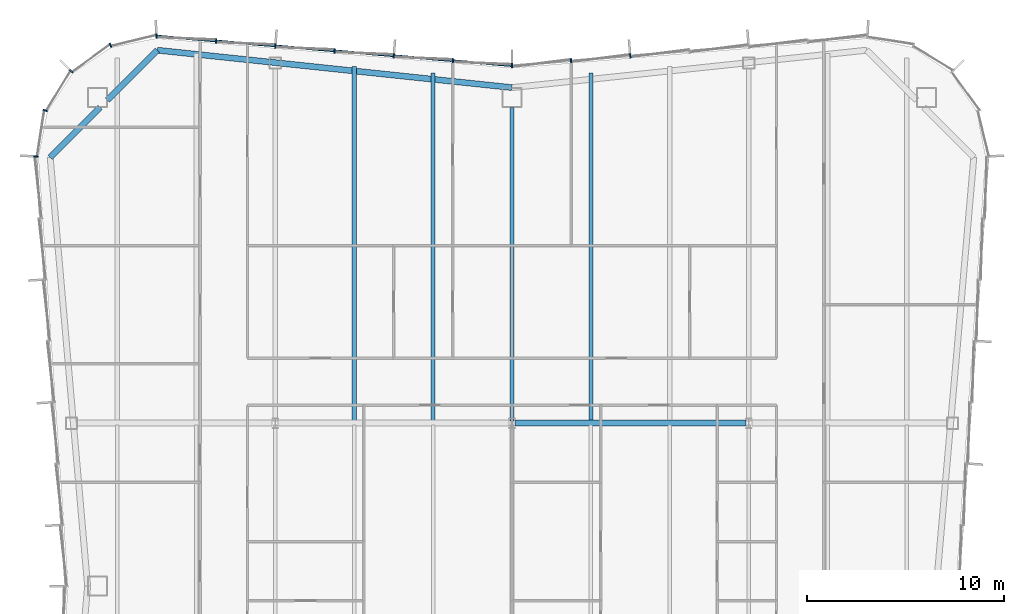
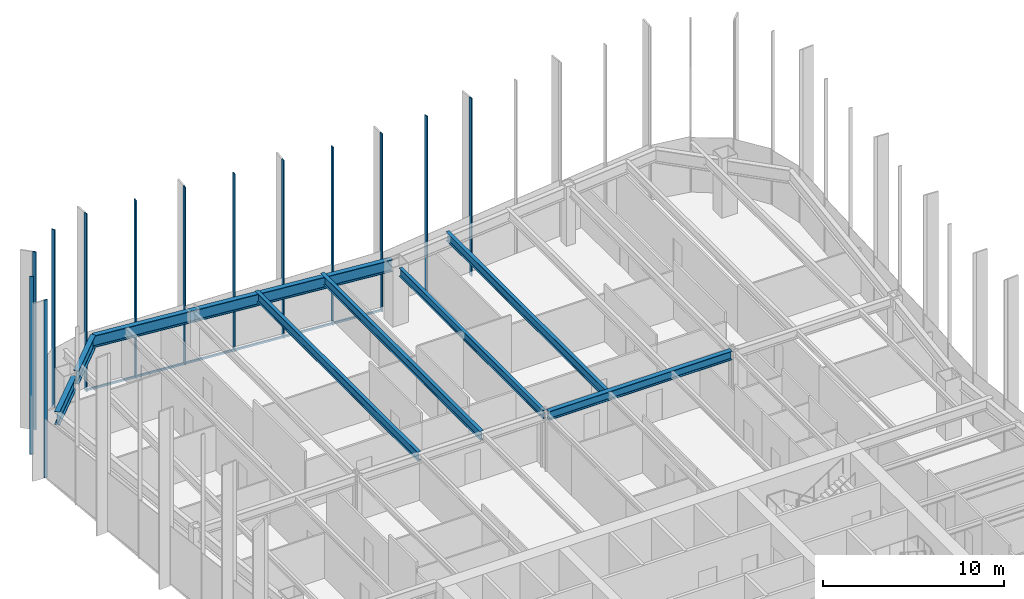
# One storey, part 7 of 15: 14 members, 8 beams, 3 elements without a shape of their own.
"""IFC4 building model written with IfcOpenShell, lengths in metres."""

from ifc_helpers import new_model, si_unit, direction, frame, origin, origin_2d, place, context, subcontext, project, spatial, rectangle, i_section, extrude, material, material_profile, profile_set, type_object, element, aggregate, save


model = new_model("IFC4")

# Units and contexts
model_context = context("Model", 3, precision=1e-05, world=origin(), true_north=direction((0.0, 1.0)))
body_context = subcontext(model_context, "Body", "Model", "MODEL_VIEW")
ifc_project = project(units=[si_unit("LENGTHUNIT", "METRE"), si_unit("AREAUNIT", "SQUARE_METRE"), si_unit("VOLUMEUNIT", "CUBIC_METRE"), si_unit("PLANEANGLEUNIT", "RADIAN"), si_unit("MASSUNIT", "GRAM", prefix="KILO")], contexts=[model_context])

# Site, building, storey
site_placement = place(None, origin())
site = spatial("IfcSite", under=ifc_project, at=site_placement, CompositionType="ELEMENT")
building_placement = place(site_placement, origin())
building = spatial("IfcBuilding", under=site, at=building_placement, Name="Verdant Reach Tower", CompositionType="ELEMENT")
storey_placement = place(building_placement, frame((0.0, 0.0, 262.0)))
storey = spatial("IfcBuildingStorey", under=building, at=storey_placement, Name="L60", CompositionType="ELEMENT", Elevation=262.0)

# Curtain wall, members
ifc_material_1 = material(Name="Anodised aluminium", Category="aluminium")
curtain_wall_type = type_object("IfcCurtainWallType", Name="EN-CW SYSTEM Z4", PredefinedType="NOTDEFINED", material=ifc_material_1)
curtain_wall_1_placement = place(storey_placement, origin())
curtain_wall_1 = element("IfcCurtainWall", 1, at=curtain_wall_1_placement, inside=storey, type_object=curtain_wall_type, Name="Curtain wall north, L60", PredefinedType="NOTDEFINED")
ifc_material_profile_1 = material_profile(ifc_material_1, rectangle(XDim=0.22412109375, YDim=0.068115234375, at=origin_2d()), Name="Mullion 68x224")
ifc_profile_set_1 = profile_set([ifc_material_profile_1], Name="Anodised aluminium")
member_type_1 = type_object("IfcMemberType", Name="EN-MULLION Z4", PredefinedType="MULLION", material=ifc_profile_set_1)
member_1_placement = place(storey_placement, frame((5.99072265625, 68.111572265625, -0.35009765625), z_axis=(0.0, 0.0, 1.0), x_axis=(-0.083045479859, 0.996545758244, 0.0)))
member_1 = element("IfcMember", 2, at=member_1_placement, type_object=member_type_1, Name="Mullion north face part 1 5, L60", PredefinedType="MULLION", context=body_context, shape_type="SweptSolid", body=[
    extrude(rectangle(XDim=0.22412109375, YDim=0.068115234375, at=origin_2d()), origin(), (0.0, 0.0, 1.0), 12.0),
])
member_2_placement = place(storey_placement, frame((2.99072265625, 67.861572265625, -0.35009765625), z_axis=(0.0, 0.0, 1.0), x_axis=(-0.083045479859, 0.996545758244, 0.0)))
member_2 = element("IfcMember", 3, at=member_2_placement, type_object=member_type_1, Name="Mullion north face part 1 6, L60", PredefinedType="MULLION", context=body_context, shape_type="SweptSolid", body=[
    extrude(rectangle(XDim=0.22412109375, YDim=0.068115234375, at=origin_2d()), origin(), (0.0, 0.0, 1.0), 12.0),
])
member_3_placement = place(storey_placement, frame((0.0, 67.612060546875, -0.35009765625), z_axis=(0.0, 0.0, 1.0), x_axis=(0.0, 1.0, 0.0)))
member_3 = element("IfcMember", 4, at=member_3_placement, type_object=member_type_1, Name="Mullion north face part 2 1, L60", PredefinedType="MULLION", context=body_context, shape_type="SweptSolid", body=[
    extrude(rectangle(XDim=0.22412109375, YDim=0.068115234375, at=origin_2d()), origin(), (0.0, 0.0, 1.0), 12.0),
])
member_4_placement = place(storey_placement, frame((-2.99072265625, 67.861572265625, -0.35009765625), z_axis=(0.0, 0.0, 1.0), x_axis=(0.083045479859, 0.996545758244, 0.0)))
member_4 = element("IfcMember", 5, at=member_4_placement, type_object=member_type_1, Name="Mullion north face part 2 2, L60", PredefinedType="MULLION", context=body_context, shape_type="SweptSolid", body=[
    extrude(rectangle(XDim=0.22412109375, YDim=0.068115234375, at=origin_2d()), origin(), (0.0, 0.0, 1.0), 12.0),
])
member_5_placement = place(storey_placement, frame((-5.99072265625, 68.111572265625, -0.35009765625), z_axis=(0.0, 0.0, 1.0), x_axis=(0.083045479859, 0.996545758244, 0.0)))
member_5 = element("IfcMember", 6, at=member_5_placement, type_object=member_type_1, Name="Mullion north face part 2 3, L60", PredefinedType="MULLION", context=body_context, shape_type="SweptSolid", body=[
    extrude(rectangle(XDim=0.22412109375, YDim=0.068115234375, at=origin_2d()), origin(), (0.0, 0.0, 1.0), 12.0),
])
member_6_placement = place(storey_placement, frame((-8.99072265625, 68.361572265625, -0.35009765625), z_axis=(0.0, 0.0, 1.0), x_axis=(0.083045479859, 0.996545758244, 0.0)))
member_6 = element("IfcMember", 7, at=member_6_placement, type_object=member_type_1, Name="Mullion north face part 2 4, L60", PredefinedType="MULLION", context=body_context, shape_type="SweptSolid", body=[
    extrude(rectangle(XDim=0.22412109375, YDim=0.068115234375, at=origin_2d()), origin(), (0.0, 0.0, 1.0), 12.0),
])
member_7_placement = place(storey_placement, frame((-11.99072265625, 68.611572265625, -0.35009765625), z_axis=(0.0, 0.0, 1.0), x_axis=(0.083045479859, 0.996545758244, 0.0)))
member_7 = element("IfcMember", 8, at=member_7_placement, type_object=member_type_1, Name="Mullion north face part 2 5, L60", PredefinedType="MULLION", context=body_context, shape_type="SweptSolid", body=[
    extrude(rectangle(XDim=0.22412109375, YDim=0.068115234375, at=origin_2d()), origin(), (0.0, 0.0, 1.0), 12.0),
])
member_8_placement = place(storey_placement, frame((-14.99072265625, 68.861572265625, -0.35009765625), z_axis=(0.0, 0.0, 1.0), x_axis=(0.083045479859, 0.996545758244, 0.0)))
member_8 = element("IfcMember", 9, at=member_8_placement, type_object=member_type_1, Name="Mullion north face part 2 6, L60", PredefinedType="MULLION", context=body_context, shape_type="SweptSolid", body=[
    extrude(rectangle(XDim=0.22412109375, YDim=0.068115234375, at=origin_2d()), origin(), (0.0, 0.0, 1.0), 12.0),
])

curtain_wall_2_placement = place(storey_placement, origin())
curtain_wall_2 = element("IfcCurtainWall", 10, at=curtain_wall_2_placement, inside=storey, type_object=curtain_wall_type, Name="Curtain wall north-west corner, L60", PredefinedType="NOTDEFINED")
member_9_placement = place(storey_placement, frame((-18.00634765625, 69.11181640625, -0.35009765625), z_axis=(0.0, 0.0, 1.0), x_axis=(-0.056569187765, 0.998398681387, 0.0)))
member_9 = element("IfcMember", 11, at=member_9_placement, type_object=member_type_1, Name="Mullion north-west corner 1, L60", PredefinedType="MULLION", context=body_context, shape_type="SweptSolid", body=[
    extrude(rectangle(XDim=0.22412109375, YDim=0.068115234375, at=origin_2d()), origin(), (0.0, 0.0, 1.0), 12.0),
])
member_10_placement = place(storey_placement, frame((-20.3388671875, 68.646728515625, -0.35009765625), z_axis=(0.0, 0.0, 1.0), x_axis=(-0.382693853776, 0.923875215753, 0.0)))
member_10 = element("IfcMember", 12, at=member_10_placement, type_object=member_type_1, Name="Mullion north-west corner 2, L60", PredefinedType="MULLION", context=body_context, shape_type="SweptSolid", body=[
    extrude(rectangle(XDim=0.22412109375, YDim=0.068115234375, at=origin_2d()), origin(), (0.0, 0.0, 1.0), 12.0),
])
member_11_placement = place(storey_placement, frame((-22.32177734375, 67.32177734375, -0.35009765625), z_axis=(0.0, 0.0, 1.0), x_axis=(-0.707106781187, 0.707106781187, 0.0)))
member_11 = element("IfcMember", 13, at=member_11_placement, type_object=member_type_1, Name="Mullion north-west corner 3, L60", PredefinedType="MULLION", context=body_context, shape_type="SweptSolid", body=[
    extrude(rectangle(XDim=0.22412109375, YDim=0.068115234375, at=origin_2d()), origin(), (0.0, 0.0, 1.0), 12.0),
])
member_12_placement = place(storey_placement, frame((-23.646728515625, 65.3388671875, -0.35009765625), z_axis=(0.0, 0.0, 1.0), x_axis=(-0.923875215753, 0.382693853776, 0.0)))
member_12 = element("IfcMember", 14, at=member_12_placement, type_object=member_type_1, Name="Mullion north-west corner 4, L60", PredefinedType="MULLION", context=body_context, shape_type="SweptSolid", body=[
    extrude(rectangle(XDim=0.22412109375, YDim=0.068115234375, at=origin_2d()), origin(), (0.0, 0.0, 1.0), 12.0),
])
aggregate(curtain_wall_2, [member_9, member_10, member_11, member_12])

# Curtain wall, member
curtain_wall_3_placement = place(storey_placement, origin())
curtain_wall_3 = element("IfcCurtainWall", 15, at=curtain_wall_3_placement, inside=storey, type_object=curtain_wall_type, Name="Curtain wall west, L60", PredefinedType="NOTDEFINED")
member_13_placement = place(storey_placement, frame((-24.11181640625, 63.007080078125, -0.35009765625), z_axis=(0.0, 0.0, 1.0), x_axis=(-0.997969180898, 0.063698618332, 0.0)))
member_13 = element("IfcMember", 16, at=member_13_placement, type_object=member_type_1, Name="Mullion west face part 1 1, L60", PredefinedType="MULLION", context=body_context, shape_type="SweptSolid", body=[
    extrude(rectangle(XDim=0.22412109375, YDim=0.068115234375, at=origin_2d()), origin(), (0.0, 0.0, 1.0), 12.0),
])
aggregate(curtain_wall_3, [member_13])

# Member
ifc_material_profile_2 = material_profile(ifc_material_1, rectangle(XDim=0.10009765625, YDim=0.1279296875, at=origin_2d()), Name="Transom 128x100")
ifc_profile_set_2 = profile_set([ifc_material_profile_2], Name="Anodised aluminium")
member_type_2 = type_object("IfcMemberType", Name="EN-TRANSOM Z4", PredefinedType="USERDEFINED", material=ifc_profile_set_2)
member_14_placement = place(storey_placement, frame((-0.033935546875, 67.61474609375, -0.285888671875), z_axis=(-0.996549124771, 0.083005071637, 0.0), x_axis=(-0.083005071637, -0.996549124771, 0.0)))
member_14 = element("IfcMember", 17, at=member_14_placement, type_object=member_type_2, Name="Transom north face part 2 1.1, L60", ObjectType="TRANSOM", PredefinedType="USERDEFINED", context=body_context, shape_type="SweptSolid", body=[
    extrude(rectangle(XDim=0.10009765625, YDim=0.1279296875, at=origin_2d()), origin(), (0.0, 0.0, 1.0), 18.00048828125),
])

aggregate(curtain_wall_1, [member_1, member_2, member_3, member_4, member_5, member_6, member_7, member_8, member_14])

# Beams
ifc_material_2 = material(Name="Steel S355", Category="steel")
ifc_material_profile_3 = material_profile(ifc_material_2, i_section(OverallWidth=0.300048828125, OverallDepth=0.60009765625, WebThickness=0.015380859375, FlangeThickness=0.030029296875, FilletRadius=0.027099609375, at=origin_2d()), Name="HEB 600")
ifc_profile_set_3 = profile_set([ifc_material_profile_3], Name="Steel S355")
beam_type_1 = type_object("IfcBeamType", Name="ST-BEAM-HEB600", PredefinedType="BEAM", material=ifc_profile_set_3)
beam_1_placement = place(storey_placement, frame((0.153076171875, 49.5, 3.570068359375), z_axis=(1.0, 0.0, 0.0), x_axis=(0.0, 1.0, 0.0)))
element("IfcBeam", 18, at=beam_1_placement, inside=storey, type_object=beam_type_1, Name="Row girder, L60", PredefinedType="BEAM", context=body_context, shape_type="SweptSolid", body=[
    extrude(i_section(OverallWidth=0.300048828125, OverallDepth=0.60009765625, WebThickness=0.015380859375, FlangeThickness=0.030029296875, FilletRadius=0.027099609375, at=origin_2d()), origin(), (0.0, 0.0, 1.0), 11.69384765625),
])
ifc_material_profile_4 = material_profile(ifc_material_2, i_section(OverallWidth=0.2099609375, OverallDepth=0.550048828125, WebThickness=0.010986328125, FlangeThickness=0.01708984375, FilletRadius=0.02392578125, at=origin_2d()), Name="IPE 550")
ifc_profile_set_4 = profile_set([ifc_material_profile_4], Name="Steel S355")
beam_type_2 = type_object("IfcBeamType", Name="ST-JOIST-IPE550", PredefinedType="JOIST", material=ifc_profile_set_4)
beam_2_placement = place(storey_placement, frame((0.0, 49.60009765625, 3.594970703125), z_axis=(0.0, 1.0, 0.0), x_axis=(-1.0, 0.0, 0.0)))
element("IfcBeam", 19, at=beam_2_placement, inside=storey, type_object=beam_type_2, Name="Floor joist, L60", PredefinedType="JOIST", context=body_context, shape_type="SweptSolid", body=[
    extrude(i_section(OverallWidth=0.2099609375, OverallDepth=0.550048828125, WebThickness=0.010986328125, FlangeThickness=0.01708984375, FilletRadius=0.02392578125, at=origin_2d()), origin(), (0.0, 0.0, 1.0), 15.89990234375),
])
ifc_material_profile_5 = material_profile(ifc_material_2, i_section(OverallWidth=0.219970703125, OverallDepth=0.60009765625, WebThickness=0.011962890625, FlangeThickness=0.01904296875, FilletRadius=0.02392578125, at=origin_2d()), Name="IPE 600")
ifc_profile_set_5 = profile_set([ifc_material_profile_5], Name="Steel S355")
beam_type_3 = type_object("IfcBeamType", Name="ST-JOIST-IPE600", PredefinedType="JOIST", material=ifc_profile_set_5)
beam_3_placement = place(storey_placement, frame((-8.0, 49.60009765625, 3.570068359375), z_axis=(0.0, 1.0, 0.0), x_axis=(-1.0, 0.0, 0.0)))
element("IfcBeam", 20, at=beam_3_placement, inside=storey, type_object=beam_type_3, Name="Floor joist, L60", PredefinedType="JOIST", context=body_context, shape_type="SweptSolid", body=[
    extrude(i_section(OverallWidth=0.219970703125, OverallDepth=0.60009765625, WebThickness=0.011962890625, FlangeThickness=0.01904296875, FilletRadius=0.02392578125, at=origin_2d()), origin(), (0.0, 0.0, 1.0), 17.964599609375),
])
for number, where, z_axis, x_axis, name in (
    (21, (-4.0, 49.60009765625, 3.570068359375), (0.0, 1.0, 0.0), (-1.0, 0.0, 0.0), "Floor joist, L60"),
    (22, (4.0, 49.60009765625, 3.570068359375), (0.0, 1.0, 0.0), (-1.0, 0.0, 0.0), "Floor joist, L60"),
):
    element("IfcBeam", number, at=place(storey_placement, frame(where, z_axis=z_axis, x_axis=x_axis)), inside=storey, type_object=beam_type_3, Name=name, PredefinedType="JOIST", context=body_context, shape_type="SweptSolid", body=[
        extrude(i_section(OverallWidth=0.219970703125, OverallDepth=0.60009765625, WebThickness=0.011962890625, FlangeThickness=0.01904296875, FilletRadius=0.02392578125, at=origin_2d()), origin(), (0.0, 0.0, 1.0), 17.631103515625),
    ])
ifc_material_profile_6 = material_profile(ifc_material_2, i_section(OverallWidth=0.300048828125, OverallDepth=0.800048828125, WebThickness=0.017578125, FlangeThickness=0.032958984375, FilletRadius=0.030029296875, at=origin_2d()), Name="HEB 800")
ifc_profile_set_6 = profile_set([ifc_material_profile_6], Name="Steel S355")
beam_type_4 = type_object("IfcBeamType", Name="ST-SPANDREL-HEB800", PredefinedType="SPANDREL", material=ifc_profile_set_6)
beam_4_placement = place(storey_placement, frame((-17.9658203125, 68.39501953125, 3.469970703125), z_axis=(0.994483067002, -0.104897232783, 0.0), x_axis=(0.104897232783, 0.994483067002, 0.0)))
element("IfcBeam", 23, at=beam_4_placement, inside=storey, type_object=beam_type_4, Name="Edge beam, L60", PredefinedType="SPANDREL", context=body_context, shape_type="SweptSolid", body=[
    extrude(i_section(OverallWidth=0.300048828125, OverallDepth=0.800048828125, WebThickness=0.017578125, FlangeThickness=0.032958984375, FilletRadius=0.030029296875, at=origin_2d()), origin(), (0.0, 0.0, 1.0), 18.0654296875),
])
ifc_material_profile_7 = material_profile(ifc_material_2, i_section(OverallWidth=0.302001953125, OverallDepth=0.909912109375, WebThickness=0.02099609375, FlangeThickness=0.0400390625, FilletRadius=0.030029296875, at=origin_2d()), Name="HEM 900")
ifc_profile_set_7 = profile_set([ifc_material_profile_7], Name="Steel S355")
beam_type_5 = type_object("IfcBeamType", Name="ST-SPANDREL-HEM900", PredefinedType="SPANDREL", material=ifc_profile_set_7)
beam_5_placement = place(storey_placement, frame((-23.39599609375, 62.96142578125, 3.4150390625), z_axis=(0.706902680526, 0.707310822952, 0.0), x_axis=(-0.707310822952, 0.706902680526, 0.0)))
element("IfcBeam", 24, at=beam_5_placement, inside=storey, type_object=beam_type_5, Name="Edge beam, L60", PredefinedType="SPANDREL", context=body_context, shape_type="SweptSolid", body=[
    extrude(i_section(OverallWidth=0.302001953125, OverallDepth=0.909912109375, WebThickness=0.02099609375, FlangeThickness=0.0400390625, FilletRadius=0.030029296875, at=origin_2d()), origin(), (0.0, 0.0, 1.0), 3.589111328125),
])
beam_6_placement = place(storey_placement, frame((-20.5, 65.859130859375, 3.4150390625), z_axis=(0.706868394255, 0.707345087777, 0.0), x_axis=(-0.707345087777, 0.706868394255, 0.0)))
element("IfcBeam", 25, at=beam_6_placement, inside=storey, type_object=beam_type_5, Name="Edge beam, L60", PredefinedType="SPANDREL", context=body_context, shape_type="SweptSolid", body=[
    extrude(i_section(OverallWidth=0.302001953125, OverallDepth=0.909912109375, WebThickness=0.02099609375, FlangeThickness=0.0400390625, FilletRadius=0.030029296875, at=origin_2d()), origin(), (0.0, 0.0, 1.0), 3.5849609375),
])

save(model, "model.ifc")
